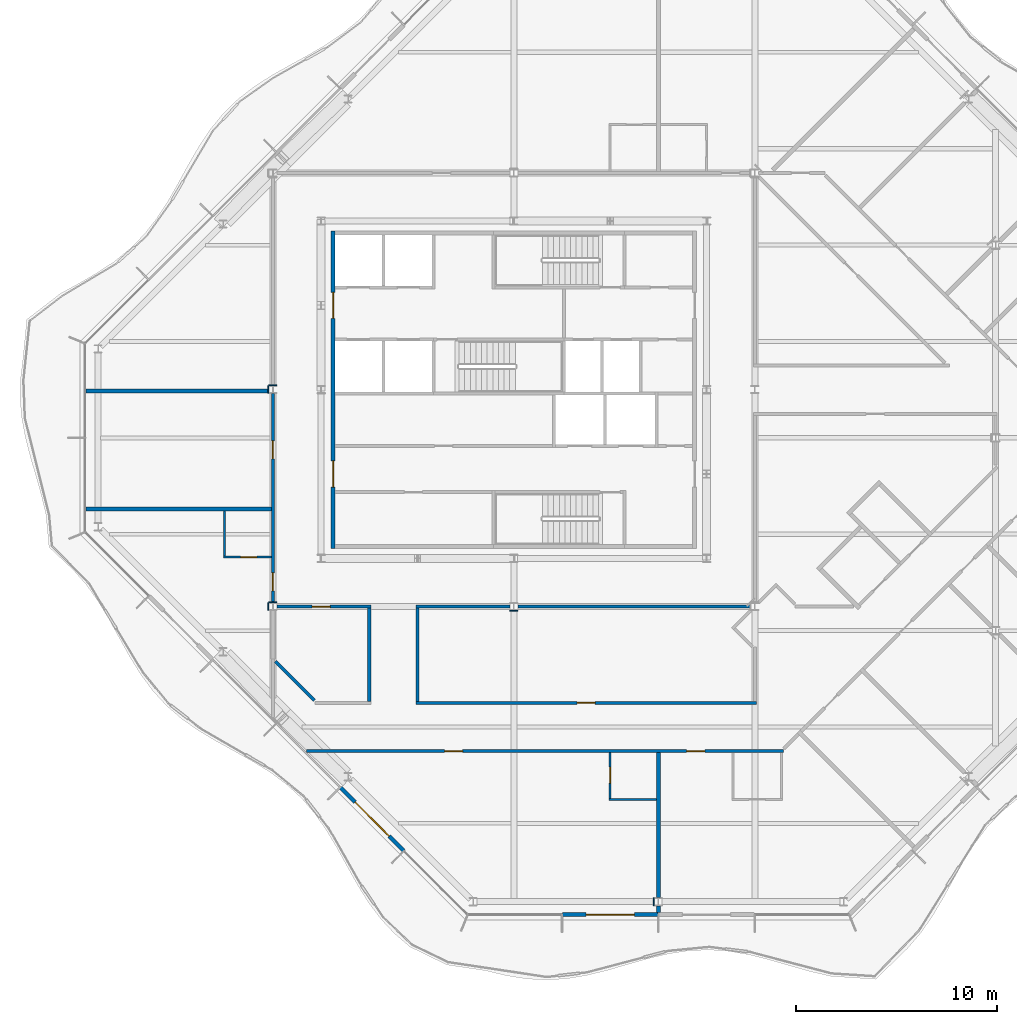
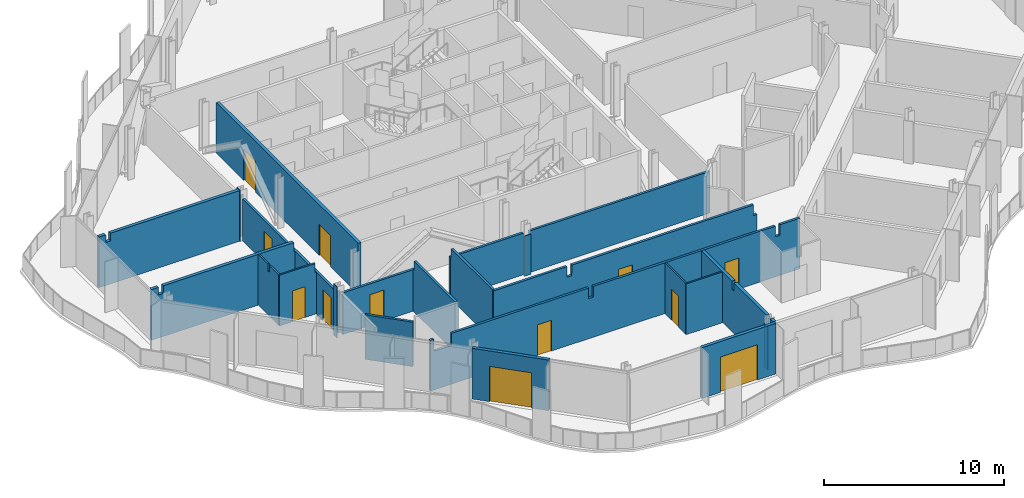
# One storey, part 7 of 17: 26 walls, 12 doors, 12 openings.
"""IFC4 building model written with IfcOpenShell, lengths in metres."""

import ifcopenshell
import ifcopenshell.guid

model = None  # the IFC model being written
_history = None  # IfcOwnerHistory: only IFC2X3 demands one
_inside = {}  # id of a spatial element -> (the spatial element, [elements in it])
_under = {}  # id of a project, library or spatial element -> (it, [spatial elements below it])
_declared = {}  # id of a project -> (the project, [libraries it declares])
_typed = {}  # id of a type object -> (the type object, [elements of that type])
_made_of = {}  # id of a material, layer set ... -> (it, [elements and type objects made of it])


def new_model(schema):
    """Start an empty IFC model of exactly this schema.

    Asked for "IFC4X3", IfcOpenShell would pick the latest addendum, in which some entities
    have other attributes; the version numbers below select the first issue.
    IFC2X3 requires an IfcOwnerHistory on every rooted entity: one is made here for all.
    """
    global model, _history
    if schema == "IFC4X3":
        model = ifcopenshell.file(schema_version=(4, 3, 0, 0))
    else:
        model = ifcopenshell.file(schema=schema)
    _inside.clear()
    _under.clear()
    _declared.clear()
    _typed.clear()
    _made_of.clear()
    _history = None
    if model.schema == "IFC2X3":
        org = make("IfcOrganization", Name="unknown")
        user = make(
            "IfcPersonAndOrganization",
            ThePerson=make("IfcPerson", FamilyName="unknown"),
            TheOrganization=org,
        )
        app = make(
            "IfcApplication",
            ApplicationDeveloper=org,
            Version="unknown",
            ApplicationFullName="unknown",
            ApplicationIdentifier="unknown",
        )
        _history = make(
            "IfcOwnerHistory",
            OwningUser=user,
            OwningApplication=app,
            ChangeAction="ADDED",
            CreationDate=0,
        )
    return model


def make(cls, **values):
    """One entity of the class cls with the attributes given. An attribute that is None is left unset."""
    return model.create_entity(
        cls, **{name: value for name, value in values.items() if value is not None}
    )


def rooted(cls, **values):
    """An entity with a GlobalId (a new one), such as an element, a storey or a relation."""
    return make(cls, GlobalId=ifcopenshell.guid.new(), OwnerHistory=_history, **values)


def si_unit(unit_type, name, prefix=None):
    """IfcSIUnit, for example si_unit("LENGTHUNIT", "METRE", prefix="MILLI")."""
    return make("IfcSIUnit", UnitType=unit_type, Prefix=prefix, Name=name)


def assignment(units):
    """IfcUnitAssignment: the units of a project."""
    return None if units is None else make("IfcUnitAssignment", Units=units)


def point(xyz):
    """IfcCartesianPoint."""
    return None if xyz is None else make("IfcCartesianPoint", Coordinates=xyz)


def direction(xyz):
    """IfcDirection."""
    return None if xyz is None else make("IfcDirection", DirectionRatios=xyz)


def frame(location, z_axis=None, x_axis=None):
    """IfcAxis2Placement3D, a coordinate frame: its origin and axes. An axis left out is left unset."""
    return make(
        "IfcAxis2Placement3D",
        Location=point(location),
        Axis=direction(z_axis),
        RefDirection=direction(x_axis),
    )


def frame_2d(location, x_axis=None):
    """IfcAxis2Placement2D, a coordinate frame in the plane: its origin and x axis."""
    return make(
        "IfcAxis2Placement2D", Location=point(location), RefDirection=direction(x_axis)
    )


def origin():
    """The frame at (0, 0, 0) with its axes left unset."""
    return frame((0.0, 0.0, 0.0))


def place(relative_to, where):
    """IfcLocalPlacement: puts the frame where relative to a parent placement (None: the world)."""
    return make(
        "IfcLocalPlacement", PlacementRelTo=relative_to, RelativePlacement=where
    )


def context(
    kind, dimensions, precision=None, world=None, true_north=None, identifier=None
):
    """IfcGeometricRepresentationContext, for example the 3D "Model" context."""
    return make(
        "IfcGeometricRepresentationContext",
        ContextIdentifier=identifier,
        ContextType=kind,
        CoordinateSpaceDimension=dimensions,
        Precision=precision,
        WorldCoordinateSystem=world,
        TrueNorth=true_north,
    )


def subcontext(parent, identifier, kind, view, scale=None):
    """IfcGeometricRepresentationSubContext, for example "Body" below "Model"."""
    return make(
        "IfcGeometricRepresentationSubContext",
        ContextIdentifier=identifier,
        ContextType=kind,
        ParentContext=parent,
        TargetScale=scale,
        TargetView=view,
    )


def project(units=None, contexts=None):
    """IfcProject with its units and contexts."""
    return rooted(
        "IfcProject",
        Name="project",
        RepresentationContexts=contexts,
        UnitsInContext=assignment(units),
    )


def spatial(cls, under=None, at=None, **own):
    """A site, building, storey or space (cls), placed at a placement, below another one or the project."""
    s = rooted(cls, ObjectPlacement=at, **own)
    if under is not None:
        _under.setdefault(under.id(), (under, []))[1].append(s)
    return s


def polyline(points):
    """IfcPolyline through the points."""
    return make("IfcPolyline", Points=[point(p) for p in points])


def profile(cls, at=None, kind="AREA", **sizes):
    """A parametric profile (cls). Its sizes go by their IFC names, for example OverallWidth=200.0."""
    return make(cls, ProfileType=kind, Position=at, **sizes)


def rectangle(**sizes):
    """IfcRectangleProfileDef."""
    return profile("IfcRectangleProfileDef", **sizes)


def outline(outer, holes=None, kind="AREA"):
    """IfcArbitraryClosedProfileDef: a profile drawn as a closed curve; with holes, ...WithVoids."""
    if holes is None:
        return make("IfcArbitraryClosedProfileDef", ProfileType=kind, OuterCurve=outer)
    return make(
        "IfcArbitraryProfileDefWithVoids",
        ProfileType=kind,
        OuterCurve=outer,
        InnerCurves=holes,
    )


def extrude(swept, where, along, depth):
    """IfcExtrudedAreaSolid: the profile swept, set in the frame where, extruded along a direction by depth."""
    return make(
        "IfcExtrudedAreaSolid",
        SweptArea=swept,
        Position=where,
        ExtrudedDirection=direction(along),
        Depth=depth,
    )


def shape(context_of_items, identifier, shape_type, items):
    """IfcShapeRepresentation: the items that make up one representation, for example the "Body"."""
    return make(
        "IfcShapeRepresentation",
        ContextOfItems=context_of_items,
        RepresentationIdentifier=identifier,
        RepresentationType=shape_type,
        Items=items,
    )


def material(Name=None, Category=None):
    """IfcMaterial."""
    return make("IfcMaterial", Name=Name, Category=Category)


def layer(
    of_material, thickness, ventilated=None, Name=None, Category=None, Priority=None
):
    """IfcMaterialLayer: one layer of a wall or slab, of a material (None: an air gap)."""
    return make(
        "IfcMaterialLayer",
        Material=of_material,
        LayerThickness=thickness,
        IsVentilated=ventilated,
        Name=Name,
        Category=Category,
        Priority=Priority,
    )


def layer_set(layers, Name=None):
    """IfcMaterialLayerSet."""
    return make("IfcMaterialLayerSet", MaterialLayers=layers, LayerSetName=Name)


def made_of(thing, what):
    """Note that an element or type object is made of a material, layer set ...; save() writes the relation."""
    if what is not None:
        _made_of.setdefault(what.id(), (what, []))[1].append(thing)
    return thing


def type_object(cls, material=None, **own):
    """A type object (cls), such as IfcWallType, which elements share."""
    return made_of(rooted(cls, **own), material)


def element(
    cls,
    number,
    at=None,
    inside=None,
    cuts=None,
    type_object=None,
    material=None,
    context=None,
    identifier="Body",
    shape_type=None,
    held_by="IfcProductDefinitionShape",
    body=None,
    shapes=None,
    **own,
):
    """One element of the class cls, such as IfcWall. Its Tag is "e" and its number.

    at: its placement. inside: the storey or other place that contains it. cuts: it is an
    opening in that element (IfcRelVoidsElement). A single representation is given by context,
    identifier, shape_type and body (its items); several are given by shapes. held_by: the class
    of the entity that holds the representations. save() writes the other relations.
    """
    e = rooted(cls, Tag="e%d" % number, ObjectPlacement=at, **own)
    if body is not None:
        shapes = [shape(context, identifier, shape_type, body)]
    if shapes is not None:
        e.Representation = make(held_by, Representations=shapes)
    if inside is not None:
        _inside.setdefault(inside.id(), (inside, []))[1].append(e)
    if cuts is not None:
        rooted(
            "IfcRelVoidsElement", RelatingBuildingElement=cuts, RelatedOpeningElement=e
        )
    if type_object is not None:
        _typed.setdefault(type_object.id(), (type_object, []))[1].append(e)
    return made_of(e, material)


def fill(opening, filler):
    """IfcRelFillsElement: the door or window that sits in an opening."""
    return rooted(
        "IfcRelFillsElement",
        RelatingOpeningElement=opening,
        RelatedBuildingElement=filler,
    )


def aggregate(whole, parts):
    """IfcRelAggregates: a whole, such as a stair, and the parts it consists of."""
    return rooted("IfcRelAggregates", RelatingObject=whole, RelatedObjects=parts)


def save(model, path):
    """Write the relations noted so far, then the file.

    IfcRelAggregates (storeys below a building ...), IfcRelContainedInSpatialStructure (elements
    in a storey), IfcRelDefinesByType, IfcRelAssociatesMaterial and IfcRelDeclares: one each for
    every whole, place, type object, material and project.
    """
    for whole, parts in _under.values():
        aggregate(whole, parts)
    for where, things in _inside.values():
        rooted(
            "IfcRelContainedInSpatialStructure",
            RelatedElements=things,
            RelatingStructure=where,
        )
    for kind, things in _typed.values():
        rooted("IfcRelDefinesByType", RelatedObjects=things, RelatingType=kind)
    for what, things in _made_of.values():
        rooted("IfcRelAssociatesMaterial", RelatedObjects=things, RelatingMaterial=what)
    for by, libraries in _declared.values():
        rooted("IfcRelDeclares", RelatingContext=by, RelatedDefinitions=libraries)
    model.write(path)


model = new_model("IFC4")

# Units and contexts
model_context = context("Model", 3, precision=1e-05, world=origin(), true_north=direction((0.0, 1.0)))
body_context = subcontext(model_context, "Body", "Model", "MODEL_VIEW")
ifc_project = project(units=[si_unit("LENGTHUNIT", "METRE"), si_unit("AREAUNIT", "SQUARE_METRE"), si_unit("VOLUMEUNIT", "CUBIC_METRE"), si_unit("PLANEANGLEUNIT", "RADIAN"), si_unit("MASSUNIT", "GRAM", prefix="KILO")], contexts=[model_context])

# Site, building, storey
site_placement = place(None, origin())
site = spatial("IfcSite", under=ifc_project, at=site_placement, CompositionType="ELEMENT")
building_placement = place(site_placement, origin())
building = spatial("IfcBuilding", under=site, at=building_placement, Name="Cairn Pilgrim Tower", CompositionType="ELEMENT")
storey_placement = place(building_placement, frame((0.0, 0.0, 250.199951171875)))
storey = spatial("IfcBuildingStorey", under=building, at=storey_placement, Name="L64", CompositionType="ELEMENT", Elevation=250.199951171875)

# Wall, opening, door
ifc_material_1 = material(Name="Bronze anodised aluminium insulated sandwich panel with mineral wool fill", Category="aluminium")
ifc_layer_1 = layer(ifc_material_1, 0.199951171875)
ifc_layer_set_1 = layer_set([ifc_layer_1], Name="BRONZE INFILL FRAME WALL 200")
wall_type_1 = type_object("IfcWallType", Name="BRONZE INFILL FRAME WALL 200", PredefinedType="NOTDEFINED", material=ifc_layer_set_1)
wall_1_placement = place(storey_placement, frame((9.6298828125, -23.75, 0.0), z_axis=(0.0, 0.0, 1.0), x_axis=(1.0, 0.0, 0.0)))
wall_1 = element("IfcWall", 1, at=wall_1_placement, inside=storey, type_object=wall_type_1, Name="Bronze infill frame wall IW-S2", PredefinedType="NOTDEFINED", context=body_context, shape_type="SweptSolid", body=[
    extrude(rectangle(XDim=4.740234375, YDim=0.199951171875, at=frame_2d((2.3701171875, 0.0))), origin(), (0.0, 0.0, 1.0), 3.449951171875),
])
opening_1_placement = place(wall_1_placement, frame((1.169921875, 0.0, 0.0)))
opening_1 = element("IfcOpeningElement", 2, at=opening_1_placement, cuts=wall_1, Name="Opening 6415B2", PredefinedType="OPENING", context=body_context, shape_type="SweptSolid", body=[
    extrude(rectangle(XDim=2.39990234375, YDim=2.39990234375, at=frame_2d((1.199951171875, 1.199951171875))), frame((0.0, 0.10986328125, 0.0), z_axis=(0.0, -1.0, 0.0), x_axis=(1.0, 0.0, 0.0)), (0.0, 0.0, 1.0), 0.219970703125),
])
ifc_material_2 = material(Name="Bronze anodised aluminium frame with tinted low-E glass", Category="aluminium")
door_type_1 = type_object("IfcDoorType", Name="BALCONY SLIDING DOOR 2400x2400", OperationType="DOUBLE_DOOR_SLIDING", PredefinedType="DOOR", material=ifc_material_2)
door_1_placement = place(opening_1_placement, origin())
door_1 = element("IfcDoor", 3, at=door_1_placement, inside=storey, type_object=door_type_1, Name="Balcony sliding door 6415B2", OperationType="SINGLE_SWING_LEFT", OverallHeight=2.39990234375, OverallWidth=2.39990234375, PredefinedType="DOOR", context=body_context, shape_type="SweptSolid", body=[
    extrude(rectangle(XDim=2.39990234375, YDim=2.39990234375, at=frame_2d((1.199951171875, 1.199951171875))), frame((0.0, 0.02490234375, 0.0), z_axis=(0.0, -1.0, 0.0), x_axis=(1.0, 0.0, 0.0)), (0.0, 0.0, 1.0), 0.050048828125),
])
fill(opening_1, door_1)

wall_2_placement = place(storey_placement, frame((-1.426513671875, -17.419921875, 0.0), z_axis=(0.0, 0.0, 1.0), x_axis=(0.707106781187, -0.707106781187, 0.0)))
wall_2 = element("IfcWall", 4, at=wall_2_placement, inside=storey, type_object=wall_type_1, Name="Bronze infill frame wall IW-SW5", PredefinedType="NOTDEFINED", context=body_context, shape_type="SweptSolid", body=[
    extrude(rectangle(XDim=4.43115234375, YDim=0.199951171875, at=frame_2d((2.215576171875, 0.0))), origin(), (0.0, 0.0, 1.0), 3.449951171875),
])
opening_2_placement = place(wall_2_placement, frame((1.01513671875, 0.0, 0.0)))
opening_2 = element("IfcOpeningElement", 5, at=opening_2_placement, cuts=wall_2, Name="Opening 6415B", PredefinedType="OPENING", context=body_context, shape_type="SweptSolid", body=[
    extrude(rectangle(XDim=2.39990234375, YDim=2.39990234375, at=frame_2d((1.199951171875, 1.199951171875))), frame((0.0, 0.10986328125, 0.0), z_axis=(0.0, -1.0, 0.0), x_axis=(1.0, 0.0, 0.0)), (0.0, 0.0, 1.0), 0.219970703125),
])
door_2_placement = place(opening_2_placement, origin())
door_2 = element("IfcDoor", 6, at=door_2_placement, inside=storey, type_object=door_type_1, Name="Balcony sliding door 6415B", OperationType="SINGLE_SWING_LEFT", OverallHeight=2.39990234375, OverallWidth=2.39990234375, PredefinedType="DOOR", context=body_context, shape_type="SweptSolid", body=[
    extrude(rectangle(XDim=2.39990234375, YDim=2.39990234375, at=frame_2d((1.199951171875, 1.199951171875))), frame((0.0, 0.02490234375, 0.0), z_axis=(0.0, -1.0, 0.0), x_axis=(1.0, 0.0, 0.0)), (0.0, 0.0, 1.0), 0.050048828125),
])
fill(opening_2, door_2)

# Wall, openings, doors
ifc_material_3 = material(Name="Concrete C32/40", Category="concrete")
ifc_layer_2 = layer(ifc_material_3, 0.199951171875)
ifc_layer_set_2 = layer_set([ifc_layer_2], Name="CORE OUTER WALL 200 EI 120")
wall_type_2 = type_object("IfcWallType", Name="CORE OUTER WALL 200 EI 120", PredefinedType="SOLIDWALL", material=ifc_layer_set_2)
wall_3_placement = place(storey_placement, frame((-1.800048828125, -5.5, 0.0), z_axis=(0.0, 0.0, 1.0), x_axis=(0.0, 1.0, 0.0)))
wall_3 = element("IfcWall", 7, at=wall_3_placement, inside=storey, type_object=wall_type_2, Name="CW:L64:V13", PredefinedType="SOLIDWALL", context=body_context, shape_type="SweptSolid", body=[
    extrude(rectangle(XDim=15.800048828125, YDim=0.199951171875, at=frame_2d((7.89990234375, 0.0))), origin(), (0.0, 0.0, 1.0), 3.449951171875),
])
opening_3_placement = place(wall_3_placement, frame((3.050048828125, 0.0, 0.0)))
opening_3 = element("IfcOpeningElement", 8, at=opening_3_placement, cuts=wall_3, Name="Opening CD-W1", PredefinedType="OPENING", context=body_context, shape_type="SweptSolid", body=[
    extrude(rectangle(XDim=1.300048828125, YDim=2.10009765625, at=frame_2d((0.64990234375, 1.050048828125))), frame((0.0, 0.10986328125, 0.0), z_axis=(0.0, -1.0, 0.0), x_axis=(1.0, 0.0, 0.0)), (0.0, 0.0, 1.0), 0.219970703125),
])
opening_4_placement = place(wall_3_placement, frame((11.449951171875, 0.0, 0.0)))
opening_4 = element("IfcOpeningElement", 9, at=opening_4_placement, cuts=wall_3, Name="Opening CD-W2", PredefinedType="OPENING", context=body_context, shape_type="SweptSolid", body=[
    extrude(rectangle(XDim=1.300048828125, YDim=2.10009765625, at=frame_2d((0.64990234375, 1.050048828125))), frame((0.0, 0.10986328125, 0.0), z_axis=(0.0, -1.0, 0.0), x_axis=(1.0, 0.0, 0.0)), (0.0, 0.0, 1.0), 0.219970703125),
])
ifc_material_4 = material(Name="Painted steel", Category="steel")
door_type_2 = type_object("IfcDoorType", Name="CORE LOBBY DOOR 1300x2100", OperationType="DOUBLE_DOOR_SINGLE_SWING", PredefinedType="DOOR", material=ifc_material_4)
door_3_placement = place(opening_3_placement, origin())
door_3 = element("IfcDoor", 10, at=door_3_placement, inside=storey, type_object=door_type_2, Name="CD-W1", OperationType="DOUBLE_DOOR_SINGLE_SWING", OverallHeight=2.10009765625, OverallWidth=1.300048828125, PredefinedType="DOOR", context=body_context, shape_type="SweptSolid", body=[
    extrude(rectangle(XDim=1.300048828125, YDim=2.10009765625, at=frame_2d((0.64990234375, 1.050048828125))), frame((0.0, 0.02490234375, 0.0), z_axis=(0.0, -1.0, 0.0), x_axis=(1.0, 0.0, 0.0)), (0.0, 0.0, 1.0), 0.050048828125),
])
fill(opening_3, door_3)
door_4_placement = place(opening_4_placement, origin())
door_4 = element("IfcDoor", 11, at=door_4_placement, inside=storey, type_object=door_type_2, Name="CD-W2", OperationType="DOUBLE_DOOR_SINGLE_SWING", OverallHeight=2.10009765625, OverallWidth=1.300048828125, PredefinedType="DOOR", context=body_context, shape_type="SweptSolid", body=[
    extrude(rectangle(XDim=1.300048828125, YDim=2.10009765625, at=frame_2d((0.64990234375, 1.050048828125))), frame((0.0, 0.02490234375, 0.0), z_axis=(0.0, -1.0, 0.0), x_axis=(1.0, 0.0, 0.0)), (0.0, 0.0, 1.0), 0.050048828125),
])
fill(opening_4, door_4)

# Wall
ifc_material_5 = material(Name="Gypsum partition")
ifc_layer_3 = layer(ifc_material_5, 0.10009765625)
ifc_layer_set_3 = layer_set([ifc_layer_3], Name="PARTITION 100 DRYWALL")
wall_type_3 = type_object("IfcWallType", Name="PARTITION 100 DRYWALL", PredefinedType="PARTITIONING", material=ifc_layer_set_3)
wall_4_placement = place(storey_placement, frame((11.949951171875, -18.0, 0.0), z_axis=(0.0, 0.0, 1.0), x_axis=(1.0, 0.0, 0.0)))
element("IfcWall", 12, at=wall_4_placement, inside=storey, type_object=wall_type_3, Name="PARTITION W004", PredefinedType="PARTITIONING", context=body_context, shape_type="SweptSolid", body=[
    extrude(rectangle(XDim=2.35009765625, YDim=0.10009765625, at=frame_2d((1.175048828125, 0.0))), origin(), (0.0, 0.0, 1.0), 3.449951171875),
])

# Wall, opening, door
wall_5_placement = place(storey_placement, frame((12.0, -17.949951171875, 0.0), z_axis=(0.0, 0.0, 1.0), x_axis=(0.0, 1.0, 0.0)))
wall_5 = element("IfcWall", 13, at=wall_5_placement, inside=storey, type_object=wall_type_3, Name="PARTITION W006", PredefinedType="PARTITIONING", context=body_context, shape_type="SweptSolid", body=[
    extrude(rectangle(XDim=2.27490234375, YDim=0.10009765625, at=frame_2d((1.137451171875, 0.0))), origin(), (0.0, 0.0, 1.0), 3.449951171875),
])
opening_5_placement = place(wall_5_placement, frame((0.75, 0.0, 0.0)))
opening_5 = element("IfcOpeningElement", 14, at=opening_5_placement, cuts=wall_5, Name="Opening 6415A", PredefinedType="OPENING", context=body_context, shape_type="SweptSolid", body=[
    extrude(rectangle(XDim=0.800048828125, YDim=2.10009765625, at=frame_2d((0.39990234375, 1.050048828125))), frame((0.0, 0.06005859375, 0.0), z_axis=(0.0, -1.0, 0.0), x_axis=(1.0, 0.0, 0.0)), (0.0, 0.0, 1.0), 0.1201171875),
])
ifc_material_6 = material(Name="Timber door leaf", Category="wood")
door_type_3 = type_object("IfcDoorType", Name="WC DOOR 800x2100", OperationType="NOTDEFINED", PredefinedType="DOOR", material=ifc_material_6)
door_5_placement = place(opening_5_placement, origin())
door_5 = element("IfcDoor", 15, at=door_5_placement, inside=storey, type_object=door_type_3, Name="DOOR 6415A", OperationType="SINGLE_SWING_LEFT", OverallHeight=2.10009765625, OverallWidth=0.800048828125, PredefinedType="DOOR", context=body_context, shape_type="SweptSolid", body=[
    extrude(rectangle(XDim=0.800048828125, YDim=2.10009765625, at=frame_2d((0.39990234375, 1.050048828125))), frame((0.0, 0.02490234375, 0.0), z_axis=(0.0, -1.0, 0.0), x_axis=(1.0, 0.0, 0.0)), (0.0, 0.0, 1.0), 0.050048828125),
])
fill(opening_5, door_5)

wall_6_placement = place(storey_placement, frame((-7.25, -5.944091796875, 0.0), z_axis=(0.0, 0.0, 1.0), x_axis=(1.0, 0.0, 0.0)))
wall_6 = element("IfcWall", 16, at=wall_6_placement, inside=storey, type_object=wall_type_3, Name="PARTITION W043", PredefinedType="PARTITIONING", context=body_context, shape_type="SweptSolid", body=[
    extrude(outline(polyline([(0.0, 0.0), (2.375, 0.0), (2.375, 2.830078125), (2.300048828125, 2.830078125), (2.298095703125, 3.449951171875), (0.0, 3.449951171875), (0.0, 0.0)])), frame((0.0, 0.050048828125, 0.0), z_axis=(0.0, -1.0, 0.0), x_axis=(1.0, 0.0, 0.0)), (0.0, 0.0, 1.0), 0.10009765625),
])
opening_6_placement = place(wall_6_placement, frame((0.85009765625, 0.0, 0.0)))
opening_6 = element("IfcOpeningElement", 17, at=opening_6_placement, cuts=wall_6, Name="Opening 6414A", PredefinedType="OPENING", context=body_context, shape_type="SweptSolid", body=[
    extrude(rectangle(XDim=0.800048828125, YDim=2.10009765625, at=frame_2d((0.39990234375, 1.050048828125))), frame((0.0, 0.06005859375, 0.0), z_axis=(0.0, -1.0, 0.0), x_axis=(1.0, 0.0, 0.0)), (0.0, 0.0, 1.0), 0.1201171875),
])
door_6_placement = place(opening_6_placement, frame((0.800048828125, 0.0, 0.0), z_axis=(0.0, 0.0, 1.0), x_axis=(-1.0, 0.0, 0.0)))
door_6 = element("IfcDoor", 18, at=door_6_placement, inside=storey, type_object=door_type_3, Name="DOOR 6414A", OperationType="SINGLE_SWING_LEFT", OverallHeight=2.10009765625, OverallWidth=0.800048828125, PredefinedType="DOOR", context=body_context, shape_type="SweptSolid", body=[
    extrude(rectangle(XDim=0.800048828125, YDim=2.10009765625, at=frame_2d((0.39990234375, 1.050048828125))), frame((0.0, 0.02490234375, 0.0), z_axis=(0.0, -1.0, 0.0), x_axis=(1.0, 0.0, 0.0)), (0.0, 0.0, 1.0), 0.050048828125),
])
fill(opening_6, door_6)

# Wall
wall_7_placement = place(storey_placement, frame((-7.199951171875, -5.89404296875, 0.0), z_axis=(0.0, 0.0, 1.0), x_axis=(0.0, 1.0, 0.0)))
element("IfcWall", 19, at=wall_7_placement, inside=storey, type_object=wall_type_3, Name="PARTITION W044", PredefinedType="PARTITIONING", context=body_context, shape_type="SweptSolid", body=[
    extrude(outline(polyline([(0.0, 0.0), (2.25, 0.0), (2.25, 3.449951171875), (1.18896484375, 3.449951171875), (1.18701171875, 2.97998046875), (0.9990234375, 2.97998046875), (0.9970703125, 3.449951171875), (0.0, 3.449951171875), (0.0, 0.0)])), frame((0.0, 0.050048828125, 0.0), z_axis=(0.0, -1.0, 0.0), x_axis=(1.0, 0.0, 0.0)), (0.0, 0.0, 1.0), 0.10009765625),
])

# Wall, openings, doors
ifc_layer_4 = layer(ifc_material_5, 0.14990234375)
ifc_layer_set_4 = layer_set([ifc_layer_4], Name="PARTITION 150 DRYWALL EI 60")
wall_type_4 = type_object("IfcWallType", Name="PARTITION 150 DRYWALL EI 60", PredefinedType="PARTITIONING", material=ifc_layer_set_4)
wall_8_placement = place(storey_placement, frame((-3.126220703125, -15.60009765625, 0.0), z_axis=(0.0, 0.0, 1.0), x_axis=(1.0, 0.0, 0.0)))
wall_8 = element("IfcWall", 20, at=wall_8_placement, inside=storey, type_object=wall_type_4, Name="PARTITION W011", PredefinedType="PARTITIONING", context=body_context, shape_type="SweptSolid", body=[
    extrude(outline(polyline([(0.0, 0.0), (23.75341796875, 0.0), (23.753173828125, 3.449951171875), (22.47607421875, 3.449951171875), (22.47412109375, 2.72998046875), (22.176025390625, 2.72998046875), (22.174072265625, 3.449951171875), (10.47607421875, 3.449951171875), (10.47412109375, 2.72998046875), (10.176025390625, 2.72998046875), (10.174072265625, 3.449951171875), (1.368896484375, 3.449951171875), (1.366943359375, 2.630126953125), (0.22900390625, 2.630126953125), (0.226806640625, 3.449951171875), (0.0, 3.449951171875), (0.0, 0.0)])), frame((0.0, 0.074951171875, 0.0), z_axis=(0.0, -1.0, 0.0), x_axis=(1.0, 0.0, 0.0)), (0.0, 0.0, 1.0), 0.14990234375),
])
opening_7_placement = place(wall_8_placement, frame((18.93701171875, 0.0, 0.0)))
opening_7 = element("IfcOpeningElement", 21, at=opening_7_placement, cuts=wall_8, Name="Opening 6401", PredefinedType="OPENING", context=body_context, shape_type="SweptSolid", body=[
    extrude(rectangle(XDim=0.89990234375, YDim=2.10009765625, at=frame_2d((0.449951171875, 1.050048828125))), frame((0.0, 0.0849609375, 0.0), z_axis=(0.0, -1.0, 0.0), x_axis=(1.0, 0.0, 0.0)), (0.0, 0.0, 1.0), 0.169921875),
])
opening_8_placement = place(wall_8_placement, frame((6.8759765625, 0.0, 0.0)))
opening_8 = element("IfcOpeningElement", 22, at=opening_8_placement, cuts=wall_8, Name="Opening 6415", PredefinedType="OPENING", context=body_context, shape_type="SweptSolid", body=[
    extrude(rectangle(XDim=0.89990234375, YDim=2.10009765625, at=frame_2d((0.449951171875, 1.050048828125))), frame((0.0, 0.0849609375, 0.0), z_axis=(0.0, -1.0, 0.0), x_axis=(1.0, 0.0, 0.0)), (0.0, 0.0, 1.0), 0.169921875),
])
door_type_4 = type_object("IfcDoorType", Name="ROOM DOOR 900x2100 FD30S", OperationType="NOTDEFINED", PredefinedType="DOOR", material=ifc_material_6)
door_7_placement = place(opening_7_placement, frame((0.89990234375, 0.0, 0.0), z_axis=(0.0, 0.0, 1.0), x_axis=(-1.0, 0.0, 0.0)))
door_7 = element("IfcDoor", 23, at=door_7_placement, inside=storey, type_object=door_type_4, Name="DOOR 6401", OperationType="SINGLE_SWING_RIGHT", OverallHeight=2.10009765625, OverallWidth=0.89990234375, PredefinedType="DOOR", context=body_context, shape_type="SweptSolid", body=[
    extrude(rectangle(XDim=0.89990234375, YDim=2.10009765625, at=frame_2d((0.449951171875, 1.050048828125))), frame((0.0, 0.02490234375, 0.0), z_axis=(0.0, -1.0, 0.0), x_axis=(1.0, 0.0, 0.0)), (0.0, 0.0, 1.0), 0.050048828125),
])
fill(opening_7, door_7)
door_8_placement = place(opening_8_placement, frame((0.89990234375, 0.0, 0.0), z_axis=(0.0, 0.0, 1.0), x_axis=(-1.0, 0.0, 0.0)))
door_8 = element("IfcDoor", 24, at=door_8_placement, inside=storey, type_object=door_type_4, Name="DOOR 6415", OperationType="SINGLE_SWING_LEFT", OverallHeight=2.10009765625, OverallWidth=0.89990234375, PredefinedType="DOOR", context=body_context, shape_type="SweptSolid", body=[
    extrude(rectangle(XDim=0.89990234375, YDim=2.10009765625, at=frame_2d((0.449951171875, 1.050048828125))), frame((0.0, 0.02490234375, 0.0), z_axis=(0.0, -1.0, 0.0), x_axis=(1.0, 0.0, 0.0)), (0.0, 0.0, 1.0), 0.050048828125),
])
fill(opening_8, door_8)

# Wall, opening, door
wall_9_placement = place(storey_placement, frame((2.324951171875, -13.199951171875, 0.0), z_axis=(0.0, 0.0, 1.0), x_axis=(1.0, 0.0, 0.0)))
wall_9 = element("IfcWall", 25, at=wall_9_placement, inside=storey, type_object=wall_type_4, Name="PARTITION W016", PredefinedType="PARTITIONING", context=body_context, shape_type="SweptSolid", body=[
    extrude(outline(polyline([(0.0, 0.0), (16.949951171875, 0.0), (16.949951171875, 2.72998046875), (16.72509765625, 2.72998046875), (16.722900390625, 3.449951171875), (5.02490234375, 3.449951171875), (5.02294921875, 2.72998046875), (4.72509765625, 2.72998046875), (4.722900390625, 3.449951171875), (0.0, 3.449951171875), (0.0, 0.0)])), frame((0.0, 0.074951171875, 0.0), z_axis=(0.0, -1.0, 0.0), x_axis=(1.0, 0.0, 0.0)), (0.0, 0.0, 1.0), 0.14990234375),
])
opening_9_placement = place(wall_9_placement, frame((8.02490234375, 0.0, 0.0)))
opening_9 = element("IfcOpeningElement", 26, at=opening_9_placement, cuts=wall_9, Name="Opening 6421", PredefinedType="OPENING", context=body_context, shape_type="SweptSolid", body=[
    extrude(rectangle(XDim=0.89990234375, YDim=2.10009765625, at=frame_2d((0.449951171875, 1.050048828125))), frame((0.0, 0.0849609375, 0.0), z_axis=(0.0, -1.0, 0.0), x_axis=(1.0, 0.0, 0.0)), (0.0, 0.0, 1.0), 0.169921875),
])
door_type_5 = type_object("IfcDoorType", Name="SERVICE DOOR 900x2100 FD30S", OperationType="NOTDEFINED", PredefinedType="DOOR", material=ifc_material_6)
door_9_placement = place(opening_9_placement, origin())
door_9 = element("IfcDoor", 27, at=door_9_placement, inside=storey, type_object=door_type_5, Name="DOOR 6421", OperationType="SINGLE_SWING_RIGHT", OverallHeight=2.10009765625, OverallWidth=0.89990234375, PredefinedType="DOOR", context=body_context, shape_type="SweptSolid", body=[
    extrude(rectangle(XDim=0.89990234375, YDim=2.10009765625, at=frame_2d((0.449951171875, 1.050048828125))), frame((0.0, 0.02490234375, 0.0), z_axis=(0.0, -1.0, 0.0), x_axis=(1.0, 0.0, 0.0)), (0.0, 0.0, 1.0), 0.050048828125),
])
fill(opening_9, door_9)

# Walls
wall_10_placement = place(storey_placement, frame((-2.73388671875, -13.072021484375, 0.0), z_axis=(0.0, 0.0, 1.0), x_axis=(-0.707151316332, 0.707062243236, 0.0)))
element("IfcWall", 28, at=wall_10_placement, inside=storey, type_object=wall_type_4, Name="PARTITION W017", PredefinedType="PARTITIONING", context=body_context, shape_type="SweptSolid", body=[
    extrude(rectangle(XDim=2.740966796875, YDim=0.14990234375, at=frame_2d((1.37060546875, 0.0))), origin(), (0.0, 0.0, 1.0), 3.030029296875),
])
for number, where, z_axis, x_axis, name in (
    (29, (0.0, -13.125, 0.0), (0.0, 0.0, 1.0), (0.0, 1.0, 0.0), "PARTITION W018"),
    (30, (2.39990234375, -13.125, 0.0), (0.0, 0.0, 1.0), (0.0, 1.0, 0.0), "PARTITION W019"),
):
    element("IfcWall", number, at=place(storey_placement, frame(where, z_axis=z_axis, x_axis=x_axis)), inside=storey, type_object=wall_type_4, Name=name, PredefinedType="PARTITIONING", context=body_context, shape_type="SweptSolid", body=[
        extrude(outline(polyline([(0.0, 0.0), (4.64990234375, 0.0), (4.64990234375, 2.830078125), (4.574951171875, 2.830078125), (4.572998046875, 3.449951171875), (0.0, 3.449951171875), (0.0, 0.0)])), frame((0.0, 0.074951171875, 0.0), z_axis=(0.0, -1.0, 0.0), x_axis=(1.0, 0.0, 0.0)), (0.0, 0.0, 1.0), 0.14990234375),
    ])

# Wall, opening, door
wall_11_placement = place(storey_placement, frame((-4.60302734375, -8.39990234375, 0.0), z_axis=(0.0, 0.0, 1.0), x_axis=(1.0, 0.0, 0.0)))
wall_11 = element("IfcWall", 31, at=wall_11_placement, inside=storey, type_object=wall_type_4, Name="PARTITION W030", PredefinedType="PARTITIONING", context=body_context, shape_type="SweptSolid", body=[
    extrude(rectangle(XDim=4.677978515625, YDim=0.14990234375, at=frame_2d((2.3388671875, 0.0))), origin(), (0.0, 0.0, 1.0), 2.830078125),
])
opening_10_placement = place(wall_11_placement, frame((1.7529296875, 0.0, 0.0)))
opening_10 = element("IfcOpeningElement", 32, at=opening_10_placement, cuts=wall_11, Name="Opening 6420", PredefinedType="OPENING", context=body_context, shape_type="SweptSolid", body=[
    extrude(rectangle(XDim=0.89990234375, YDim=2.10009765625, at=frame_2d((0.449951171875, 1.050048828125))), frame((0.0, 0.0849609375, 0.0), z_axis=(0.0, -1.0, 0.0), x_axis=(1.0, 0.0, 0.0)), (0.0, 0.0, 1.0), 0.169921875),
])
door_10_placement = place(opening_10_placement, frame((0.89990234375, 0.0, 0.0), z_axis=(0.0, 0.0, 1.0), x_axis=(-1.0, 0.0, 0.0)))
door_10 = element("IfcDoor", 33, at=door_10_placement, inside=storey, type_object=door_type_5, Name="DOOR 6420", OperationType="SINGLE_SWING_RIGHT", OverallHeight=2.10009765625, OverallWidth=0.89990234375, PredefinedType="DOOR", context=body_context, shape_type="SweptSolid", body=[
    extrude(rectangle(XDim=0.89990234375, YDim=2.10009765625, at=frame_2d((0.449951171875, 1.050048828125))), frame((0.0, 0.02490234375, 0.0), z_axis=(0.0, -1.0, 0.0), x_axis=(1.0, 0.0, 0.0)), (0.0, 0.0, 1.0), 0.050048828125),
])
fill(opening_10, door_10)

# Walls
wall_12_placement = place(storey_placement, frame((2.324951171875, -8.39990234375, 0.0), z_axis=(0.0, 0.0, 1.0), x_axis=(1.0, 0.0, 0.0)))
element("IfcWall", 34, at=wall_12_placement, inside=storey, type_object=wall_type_4, Name="PARTITION W031", PredefinedType="PARTITIONING", context=body_context, shape_type="SweptSolid", body=[
    extrude(rectangle(XDim=4.677978515625, YDim=0.14990234375, at=frame_2d((2.3388671875, 0.0))), origin(), (0.0, 0.0, 1.0), 2.830078125),
])
wall_13_placement = place(storey_placement, frame((7.39697265625, -8.39990234375, 0.0), z_axis=(0.0, 0.0, 1.0), x_axis=(1.0, 0.0, 0.0)))
element("IfcWall", 35, at=wall_13_placement, inside=storey, type_object=wall_type_4, Name="PARTITION W032", PredefinedType="PARTITIONING", context=body_context, shape_type="SweptSolid", body=[
    extrude(rectangle(XDim=11.60595703125, YDim=0.14990234375, at=frame_2d((5.802978515625, 0.0))), origin(), (0.0, 0.0, 1.0), 2.830078125),
])

# Wall, openings, doors
wall_14_placement = place(storey_placement, frame((-4.800048828125, -8.21240234375, 0.0), z_axis=(0.0, 0.0, 1.0), x_axis=(0.0, 1.0, 0.0)))
wall_14 = element("IfcWall", 36, at=wall_14_placement, inside=storey, type_object=wall_type_4, Name="PARTITION W036", PredefinedType="PARTITIONING", context=body_context, shape_type="SweptSolid", body=[
    extrude(rectangle(XDim=10.4248046875, YDim=0.14990234375, at=frame_2d((5.21240234375, 0.0))), origin(), (0.0, 0.0, 1.0), 2.830078125),
])
opening_11_placement = place(wall_14_placement, frame((7.16259765625, 0.0, 0.0)))
opening_11 = element("IfcOpeningElement", 37, at=opening_11_placement, cuts=wall_14, Name="Opening 6413", PredefinedType="OPENING", context=body_context, shape_type="SweptSolid", body=[
    extrude(rectangle(XDim=0.89990234375, YDim=2.10009765625, at=frame_2d((0.449951171875, 1.050048828125))), frame((0.0, 0.0849609375, 0.0), z_axis=(0.0, -1.0, 0.0), x_axis=(1.0, 0.0, 0.0)), (0.0, 0.0, 1.0), 0.169921875),
])
opening_12_placement = place(wall_14_placement, frame((0.590576171875, 0.0, 0.0)))
opening_12 = element("IfcOpeningElement", 38, at=opening_12_placement, cuts=wall_14, Name="Opening 6414", PredefinedType="OPENING", context=body_context, shape_type="SweptSolid", body=[
    extrude(rectangle(XDim=0.89990234375, YDim=2.10009765625, at=frame_2d((0.449951171875, 1.050048828125))), frame((0.0, 0.0849609375, 0.0), z_axis=(0.0, -1.0, 0.0), x_axis=(1.0, 0.0, 0.0)), (0.0, 0.0, 1.0), 0.169921875),
])
door_11_placement = place(opening_12_placement, origin())
door_11 = element("IfcDoor", 39, at=door_11_placement, inside=storey, type_object=door_type_4, Name="DOOR 6414", OperationType="SINGLE_SWING_LEFT", OverallHeight=2.10009765625, OverallWidth=0.89990234375, PredefinedType="DOOR", context=body_context, shape_type="SweptSolid", body=[
    extrude(rectangle(XDim=0.89990234375, YDim=2.10009765625, at=frame_2d((0.449951171875, 1.050048828125))), frame((0.0, 0.02490234375, 0.0), z_axis=(0.0, -1.0, 0.0), x_axis=(1.0, 0.0, 0.0)), (0.0, 0.0, 1.0), 0.050048828125),
])
fill(opening_12, door_11)
door_12_placement = place(opening_11_placement, origin())
door_12 = element("IfcDoor", 40, at=door_12_placement, inside=storey, type_object=door_type_5, Name="DOOR 6413", OperationType="SINGLE_SWING_LEFT", OverallHeight=2.10009765625, OverallWidth=0.89990234375, PredefinedType="DOOR", context=body_context, shape_type="SweptSolid", body=[
    extrude(rectangle(XDim=0.89990234375, YDim=2.10009765625, at=frame_2d((0.449951171875, 1.050048828125))), frame((0.0, 0.02490234375, 0.0), z_axis=(0.0, -1.0, 0.0), x_axis=(1.0, 0.0, 0.0)), (0.0, 0.0, 1.0), 0.050048828125),
])
fill(opening_11, door_12)

# Walls
ifc_layer_5 = layer(ifc_material_5, 0.050048828125)
ifc_layer_set_5 = layer_set([ifc_layer_5], Name="PARTITION 50 DRYWALL EI 60")
wall_type_5 = type_object("IfcWallType", Name="PARTITION 50 DRYWALL EI 60", PredefinedType="PARTITIONING", material=ifc_layer_set_5)
wall_15_placement = place(storey_placement, frame((14.173095703125, -23.303466796875, 0.0), z_axis=(0.0, 0.0, 1.0), x_axis=(0.0, 1.0, 0.0)))
element("IfcWall", 41, at=wall_15_placement, inside=storey, type_object=wall_type_5, Name="COLUMN CASING WC01", PredefinedType="PARTITIONING", context=body_context, shape_type="SweptSolid", body=[
    extrude(rectangle(XDim=0.406982421875, YDim=0.050048828125, at=frame_2d((0.20361328125, 0.0))), origin(), (0.0, 0.0, 1.0), 2.929931640625),
])
for number, where, z_axis, x_axis, name in (
    (42, (-5.02197265625, -8.58740234375, 0.0), (0.0, 0.0, 1.0), (0.0, 1.0, 0.0), "COLUMN CASING WC05"),
    (43, (-5.02197265625, 2.21240234375, 0.0), (0.0, 0.0, 1.0), (0.0, 1.0, 0.0), "COLUMN CASING WC07"),
):
    element("IfcWall", number, at=place(storey_placement, frame(where, z_axis=z_axis, x_axis=x_axis)), inside=storey, type_object=wall_type_5, Name=name, PredefinedType="PARTITIONING", context=body_context, shape_type="SweptSolid", body=[
        extrude(rectangle(XDim=0.375, YDim=0.050048828125, at=frame_2d((0.1875, 0.0))), origin(), (0.0, 0.0, 1.0), 3.449951171875),
    ])
wall_16_placement = place(storey_placement, frame((-4.9970703125, -8.1875, 0.0), z_axis=(0.0, 0.0, 1.0), x_axis=(1.0, 0.0, 0.0)))
element("IfcWall", 44, at=wall_16_placement, inside=storey, type_object=wall_type_5, Name="COLUMN CASING WC09", PredefinedType="PARTITIONING", context=body_context, shape_type="SweptSolid", body=[
    extrude(rectangle(XDim=0.39404296875, YDim=0.050048828125, at=frame_2d((0.197021484375, 0.0))), origin(), (0.0, 0.0, 1.0), 2.830078125),
])
wall_17_placement = place(storey_placement, frame((7.0029296875, -8.612548828125, 0.0), z_axis=(0.0, 0.0, 1.0), x_axis=(1.0, 0.0, 0.0)))
element("IfcWall", 45, at=wall_17_placement, inside=storey, type_object=wall_type_5, Name="COLUMN CASING WC10", PredefinedType="PARTITIONING", context=body_context, shape_type="SweptSolid", body=[
    extrude(rectangle(XDim=0.39404296875, YDim=0.050048828125, at=frame_2d((0.197021484375, 0.0))), origin(), (0.0, 0.0, 1.0), 2.72998046875),
])
wall_18_placement = place(storey_placement, frame((-4.9970703125, 2.612548828125, 0.0), z_axis=(0.0, 0.0, 1.0), x_axis=(1.0, 0.0, 0.0)))
element("IfcWall", 46, at=wall_18_placement, inside=storey, type_object=wall_type_5, Name="COLUMN CASING WC14", PredefinedType="PARTITIONING", context=body_context, shape_type="SweptSolid", body=[
    extrude(rectangle(XDim=0.39404296875, YDim=0.050048828125, at=frame_2d((0.197021484375, 0.0))), origin(), (0.0, 0.0, 1.0), 2.830078125),
])
ifc_layer_6 = layer(ifc_material_5, 0.199951171875)
ifc_layer_set_6 = layer_set([ifc_layer_6], Name="SHAFT WALL 200 GYPSUM EI 60")
wall_type_6 = type_object("IfcWallType", Name="SHAFT WALL 200 GYPSUM EI 60", PredefinedType="PARTITIONING", material=ifc_layer_set_6)
wall_19_placement = place(storey_placement, frame((14.39990234375, -23.64990234375, 0.0), z_axis=(0.0, 0.0, 1.0), x_axis=(0.0, 1.0, 0.0)))
element("IfcWall", 47, at=wall_19_placement, inside=storey, type_object=wall_type_6, Name="PARTITION W001", PredefinedType="PARTITIONING", context=body_context, shape_type="SweptSolid", body=[
    extrude(rectangle(XDim=0.346435546875, YDim=0.199951171875, at=frame_2d((0.17333984375, 0.0))), origin(), (0.0, 0.0, 1.0), 3.449951171875),
])
wall_20_placement = place(storey_placement, frame((14.39990234375, -22.896484375, 0.0), z_axis=(0.0, 0.0, 1.0), x_axis=(0.0, 1.0, 0.0)))
element("IfcWall", 48, at=wall_20_placement, inside=storey, type_object=wall_type_6, Name="PARTITION W002", PredefinedType="PARTITIONING", context=body_context, shape_type="SweptSolid", body=[
    extrude(outline(polyline([(0.0, 0.0), (7.221435546875, 0.0), (7.221435546875, 3.449951171875), (3.801513671875, 3.449951171875), (3.799560546875, 2.880126953125), (3.591552734375, 2.880126953125), (3.589599609375, 3.449951171875), (0.0, 3.449951171875), (0.0, 0.0)])), frame((0.0, 0.10009765625, 0.0), z_axis=(0.0, -1.0, 0.0), x_axis=(1.0, 0.0, 0.0)), (0.0, 0.0, 1.0), 0.199951171875),
])
wall_21_placement = place(storey_placement, frame((-14.10302734375, -3.5439453125, 0.0), z_axis=(0.0, 0.0, 1.0), x_axis=(1.0, 0.0, 0.0)))
element("IfcWall", 49, at=wall_21_placement, inside=storey, type_object=wall_type_6, Name="PARTITION W049", PredefinedType="PARTITIONING", context=body_context, shape_type="SweptSolid", body=[
    extrude(outline(polyline([(0.0, 0.0), (9.22802734375, 0.0), (9.22802734375, 2.830078125), (9.153076171875, 2.830078125), (9.15087890625, 3.449951171875), (0.7529296875, 3.449951171875), (0.7509765625, 2.929931640625), (0.452880859375, 2.929931640625), (0.450927734375, 3.449951171875), (0.0, 3.449951171875), (0.0, 0.0)])), frame((0.0, 0.10009765625, 0.0), z_axis=(0.0, -1.0, 0.0), x_axis=(1.0, 0.0, 0.0)), (0.0, 0.0, 1.0), 0.199951171875),
])
wall_22_placement = place(storey_placement, frame((-14.10302734375, 2.343994140625, 0.0), z_axis=(0.0, 0.0, 1.0), x_axis=(1.0, 0.0, 0.0)))
element("IfcWall", 50, at=wall_22_placement, inside=storey, type_object=wall_type_6, Name="PARTITION W060", PredefinedType="PARTITIONING", context=body_context, shape_type="SweptSolid", body=[
    extrude(outline(polyline([(0.0, 0.0), (9.10595703125, 0.0), (9.10595703125, 3.449951171875), (0.7529296875, 3.449951171875), (0.7509765625, 2.929931640625), (0.452880859375, 2.929931640625), (0.450927734375, 3.449951171875), (0.0, 3.449951171875), (0.0, 0.0)])), frame((0.0, 0.10009765625, 0.0), z_axis=(0.0, -1.0, 0.0), x_axis=(1.0, 0.0, 0.0)), (0.0, 0.0, 1.0), 0.199951171875),
])

save(model, "model.ifc")
